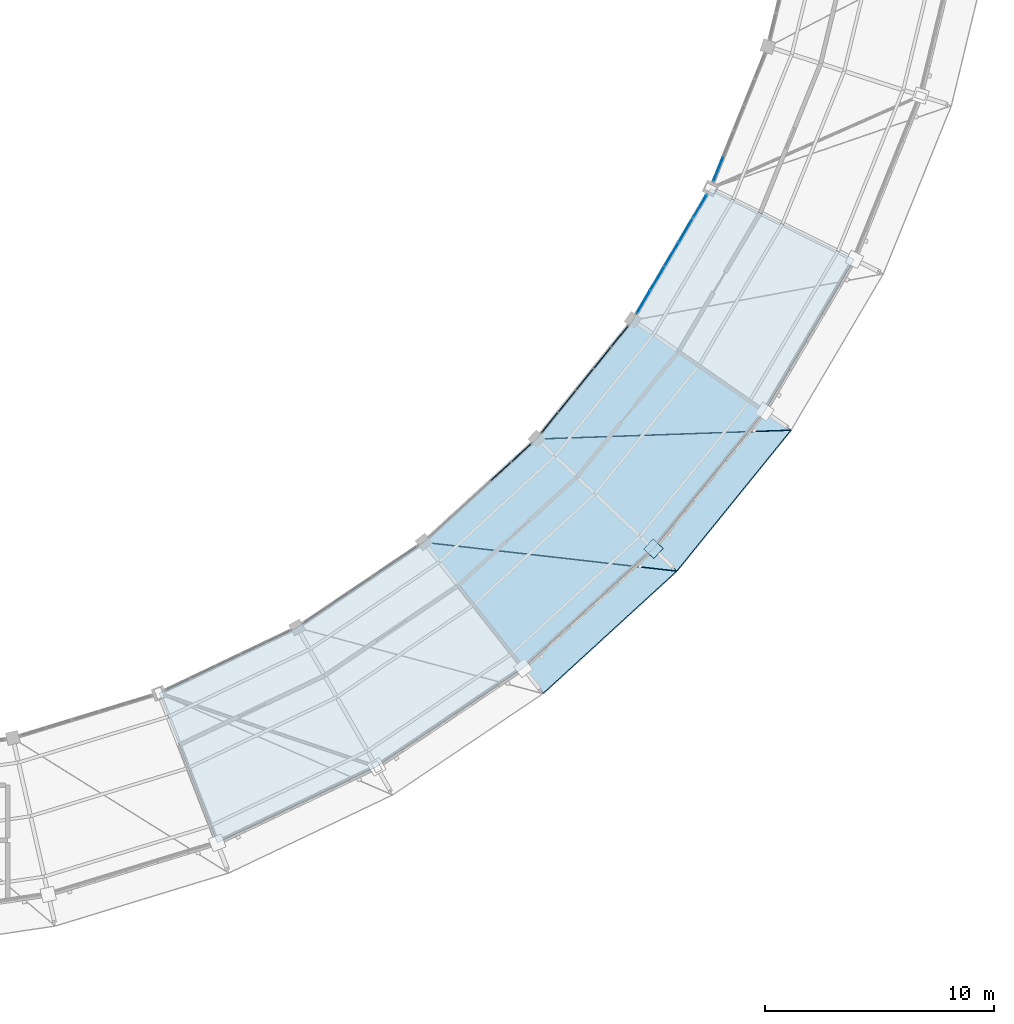
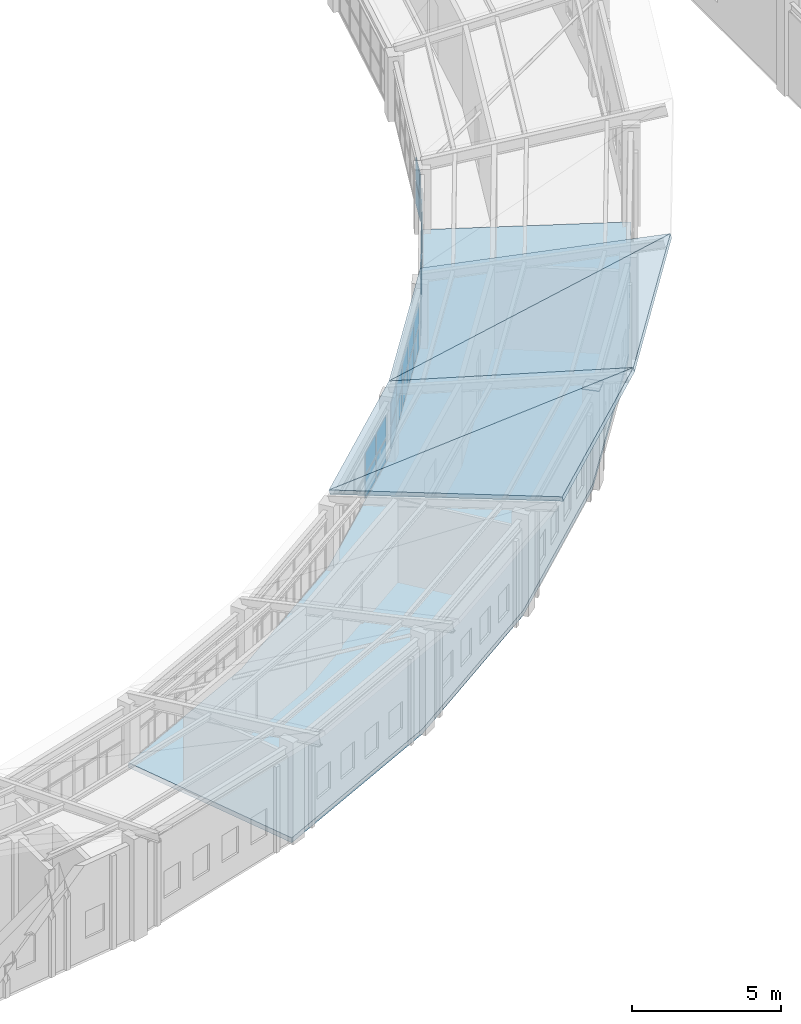
# One storey, part 105 of 149: 27 plates, 5 slabs, 4 elements without a shape of their own.
"""IFC4 building model written with IfcOpenShell, lengths in metres."""

from ifc_helpers import new_model, si_unit, direction, frame, origin, origin_2d, place, context, subcontext, project, spatial, polyline, rectangle, outline, extrude, material, layer, layer_set, type_object, element, aggregate, save


model = new_model("IFC4")

# Units and contexts
model_context = context("Model", 3, precision=1e-05, world=origin(), true_north=direction((0.0, 1.0)))
body_context = subcontext(model_context, "Body", "Model", "MODEL_VIEW")
ifc_project = project(units=[si_unit("LENGTHUNIT", "METRE"), si_unit("AREAUNIT", "SQUARE_METRE"), si_unit("VOLUMEUNIT", "CUBIC_METRE"), si_unit("PLANEANGLEUNIT", "RADIAN"), si_unit("MASSUNIT", "GRAM", prefix="KILO")], contexts=[model_context])

# Site, building, storey
site_placement = place(None, origin())
site = spatial("IfcSite", under=ifc_project, at=site_placement, CompositionType="ELEMENT")
building_placement = place(site_placement, origin())
building = spatial("IfcBuilding", under=site, at=building_placement, Name="Celadon Cloister-Ring School", CompositionType="ELEMENT")
storey_placement = place(building_placement, frame((0.0, 0.0, 12.5)))
storey = spatial("IfcBuildingStorey", under=building, at=storey_placement, Name="L03", CompositionType="ELEMENT", Elevation=12.5)

# Curtain wall, plates
ifc_material_1 = material(Name="Aluminium EN AW-6063 T6", Category="aluminium")
curtain_wall_type = type_object("IfcCurtainWallType", Name="CW-02", PredefinedType="USERDEFINED", material=ifc_material_1)
curtain_wall_1_placement = place(storey_placement, origin())
curtain_wall_1 = element("IfcCurtainWall", 1, at=curtain_wall_1_placement, inside=storey, type_object=curtain_wall_type, Name="Curtain Wall 0066", ObjectType="CURTAIN WALL", PredefinedType="USERDEFINED")
ifc_material_2 = material(Name="Tempered laminated insulating glass", Category="glass")
ifc_layer_1 = layer(ifc_material_2, 0.035888671875)
ifc_layer_set_1 = layer_set([ifc_layer_1], Name="Tempered laminated insulating glass")
plate_type_1 = type_object("IfcPlateType", Name="CPN-03", PredefinedType="CURTAIN_PANEL", material=ifc_layer_set_1)
plate_1_placement = place(storey_placement, frame((118.20751953125, 26.728271484375, 0.074951171875), z_axis=(0.0, 0.0, 1.0), x_axis=(0.737446251531, 0.675405823267, 0.0)))
plate_1 = element("IfcPlate", 2, at=plate_1_placement, type_object=plate_type_1, Name="CW-02 panel 4.1", PredefinedType="CURTAIN_PANEL", context=body_context, shape_type="SweptSolid", body=[
    extrude(rectangle(XDim=1.141845703125, YDim=0.035888671875, at=origin_2d()), origin(), (0.0, 0.0, 1.0), 0.8974609375),
])
plate_2_placement = place(storey_placement, frame((118.20751953125, 26.728271484375, 1.047607421875), z_axis=(0.0, 0.0, 1.0), x_axis=(0.737446251531, 0.675405823267, 0.0)))
plate_2 = element("IfcPlate", 3, at=plate_2_placement, type_object=plate_type_1, Name="CW-02 panel 4.2", PredefinedType="CURTAIN_PANEL", context=body_context, shape_type="SweptSolid", body=[
    extrude(rectangle(XDim=1.141845703125, YDim=0.035888671875, at=origin_2d()), origin(), (0.0, 0.0, 1.0), 0.8974609375),
])
plate_3_placement = place(storey_placement, frame((119.09375, 27.539794921875, 0.074951171875), z_axis=(0.0, 0.0, 1.0), x_axis=(0.737446251531, 0.675405823267, 0.0)))
plate_3 = element("IfcPlate", 4, at=plate_3_placement, type_object=plate_type_1, Name="CW-02 panel 5.1", PredefinedType="CURTAIN_PANEL", context=body_context, shape_type="SweptSolid", body=[
    extrude(rectangle(XDim=1.101806640625, YDim=0.035888671875, at=origin_2d()), origin(), (0.0, 0.0, 1.0), 0.8974609375),
])
plate_4_placement = place(storey_placement, frame((119.09375, 27.539794921875, 1.047607421875), z_axis=(0.0, 0.0, 1.0), x_axis=(0.737446251531, 0.675405823267, 0.0)))
plate_4 = element("IfcPlate", 5, at=plate_4_placement, type_object=plate_type_1, Name="CW-02 panel 5.2", PredefinedType="CURTAIN_PANEL", context=body_context, shape_type="SweptSolid", body=[
    extrude(rectangle(XDim=1.101806640625, YDim=0.035888671875, at=origin_2d()), origin(), (0.0, 0.0, 1.0), 0.8974609375),
])
aggregate(curtain_wall_1, [plate_1, plate_2, plate_3, plate_4])

curtain_wall_2_placement = place(storey_placement, origin())
curtain_wall_2 = element("IfcCurtainWall", 6, at=curtain_wall_2_placement, inside=storey, type_object=curtain_wall_type, Name="Curtain Wall 0067", ObjectType="CURTAIN WALL", PredefinedType="USERDEFINED")
plate_5_placement = place(storey_placement, frame((120.33740234375, 28.861083984375, 0.074951171875), z_axis=(0.0, 0.0, 1.0), x_axis=(0.62977259355, 0.776779557155, 0.0)))
plate_5 = element("IfcPlate", 7, at=plate_5_placement, type_object=plate_type_1, Name="CW-02 panel 1.1", PredefinedType="CURTAIN_PANEL", context=body_context, shape_type="SweptSolid", body=[
    extrude(rectangle(XDim=1.101806640625, YDim=0.035888671875, at=origin_2d()), origin(), (0.0, 0.0, 1.0), 0.8974609375),
])
plate_6_placement = place(storey_placement, frame((120.33740234375, 28.861083984375, 1.047607421875), z_axis=(0.0, 0.0, 1.0), x_axis=(0.62977259355, 0.776779557155, 0.0)))
plate_6 = element("IfcPlate", 8, at=plate_6_placement, type_object=plate_type_1, Name="CW-02 panel 1.2", PredefinedType="CURTAIN_PANEL", context=body_context, shape_type="SweptSolid", body=[
    extrude(rectangle(XDim=1.101806640625, YDim=0.035888671875, at=origin_2d()), origin(), (0.0, 0.0, 1.0), 0.8974609375),
])
plate_7_placement = place(storey_placement, frame((121.093994140625, 29.79443359375, 0.074951171875), z_axis=(0.0, 0.0, 1.0), x_axis=(0.62977259355, 0.776779557155, 0.0)))
plate_7 = element("IfcPlate", 9, at=plate_7_placement, type_object=plate_type_1, Name="CW-02 panel 2.1", PredefinedType="CURTAIN_PANEL", context=body_context, shape_type="SweptSolid", body=[
    extrude(rectangle(XDim=1.1416015625, YDim=0.035888671875, at=origin_2d()), origin(), (0.0, 0.0, 1.0), 0.8974609375),
])
plate_8_placement = place(storey_placement, frame((121.093994140625, 29.79443359375, 1.047607421875), z_axis=(0.0, 0.0, 1.0), x_axis=(0.62977259355, 0.776779557155, 0.0)))
plate_8 = element("IfcPlate", 10, at=plate_8_placement, type_object=plate_type_1, Name="CW-02 panel 2.2", PredefinedType="CURTAIN_PANEL", context=body_context, shape_type="SweptSolid", body=[
    extrude(rectangle(XDim=1.1416015625, YDim=0.035888671875, at=origin_2d()), origin(), (0.0, 0.0, 1.0), 0.8974609375),
])
plate_9_placement = place(storey_placement, frame((121.863525390625, 30.743408203125, 0.074951171875), z_axis=(0.0, 0.0, 1.0), x_axis=(0.62977259355, 0.776779557155, 0.0)))
plate_9 = element("IfcPlate", 11, at=plate_9_placement, type_object=plate_type_1, Name="CW-02 panel 3.1", PredefinedType="CURTAIN_PANEL", context=body_context, shape_type="SweptSolid", body=[
    extrude(rectangle(XDim=1.1416015625, YDim=0.035888671875, at=origin_2d()), origin(), (0.0, 0.0, 1.0), 0.8974609375),
])
plate_10_placement = place(storey_placement, frame((121.863525390625, 30.743408203125, 1.047607421875), z_axis=(0.0, 0.0, 1.0), x_axis=(0.62977259355, 0.776779557155, 0.0)))
plate_10 = element("IfcPlate", 12, at=plate_10_placement, type_object=plate_type_1, Name="CW-02 panel 3.2", PredefinedType="CURTAIN_PANEL", context=body_context, shape_type="SweptSolid", body=[
    extrude(rectangle(XDim=1.1416015625, YDim=0.035888671875, at=origin_2d()), origin(), (0.0, 0.0, 1.0), 0.8974609375),
])
plate_11_placement = place(storey_placement, frame((122.6328125, 31.6923828125, 0.074951171875), z_axis=(0.0, 0.0, 1.0), x_axis=(0.62977259355, 0.776779557155, 0.0)))
plate_11 = element("IfcPlate", 13, at=plate_11_placement, type_object=plate_type_1, Name="CW-02 panel 4.1", PredefinedType="CURTAIN_PANEL", context=body_context, shape_type="SweptSolid", body=[
    extrude(rectangle(XDim=1.1416015625, YDim=0.035888671875, at=origin_2d()), origin(), (0.0, 0.0, 1.0), 0.8974609375),
])
plate_12_placement = place(storey_placement, frame((122.6328125, 31.6923828125, 1.047607421875), z_axis=(0.0, 0.0, 1.0), x_axis=(0.62977259355, 0.776779557155, 0.0)))
plate_12 = element("IfcPlate", 14, at=plate_12_placement, type_object=plate_type_1, Name="CW-02 panel 4.2", PredefinedType="CURTAIN_PANEL", context=body_context, shape_type="SweptSolid", body=[
    extrude(rectangle(XDim=1.1416015625, YDim=0.035888671875, at=origin_2d()), origin(), (0.0, 0.0, 1.0), 0.8974609375),
])
plate_13_placement = place(storey_placement, frame((123.3896484375, 32.6259765625, 0.074951171875), z_axis=(0.0, 0.0, 1.0), x_axis=(0.62977259355, 0.776779557155, 0.0)))
plate_13 = element("IfcPlate", 15, at=plate_13_placement, type_object=plate_type_1, Name="CW-02 panel 5.1", PredefinedType="CURTAIN_PANEL", context=body_context, shape_type="SweptSolid", body=[
    extrude(rectangle(XDim=1.101806640625, YDim=0.035888671875, at=origin_2d()), origin(), (0.0, 0.0, 1.0), 0.8974609375),
])
plate_14_placement = place(storey_placement, frame((123.3896484375, 32.6259765625, 1.047607421875), z_axis=(0.0, 0.0, 1.0), x_axis=(0.62977259355, 0.776779557155, 0.0)))
plate_14 = element("IfcPlate", 16, at=plate_14_placement, type_object=plate_type_1, Name="CW-02 panel 5.2", PredefinedType="CURTAIN_PANEL", context=body_context, shape_type="SweptSolid", body=[
    extrude(rectangle(XDim=1.101806640625, YDim=0.035888671875, at=origin_2d()), origin(), (0.0, 0.0, 1.0), 0.8974609375),
])
aggregate(curtain_wall_2, [plate_5, plate_6, plate_7, plate_8, plate_9, plate_10, plate_11, plate_12, plate_13, plate_14])

curtain_wall_3_placement = place(storey_placement, origin())
curtain_wall_3 = element("IfcCurtainWall", 17, at=curtain_wall_3_placement, inside=storey, type_object=curtain_wall_type, Name="Curtain Wall 0068", ObjectType="CURTAIN WALL", PredefinedType="USERDEFINED")
plate_15_placement = place(storey_placement, frame((124.424560546875, 34.116455078125, 0.074951171875), z_axis=(0.0, 0.0, 1.0), x_axis=(0.507885374036, 0.861424661152, 0.0)))
plate_15 = element("IfcPlate", 18, at=plate_15_placement, type_object=plate_type_1, Name="CW-02 panel 1.1", PredefinedType="CURTAIN_PANEL", context=body_context, shape_type="SweptSolid", body=[
    extrude(rectangle(XDim=1.10205078125, YDim=0.035888671875, at=origin_2d()), origin(), (0.0, 0.0, 1.0), 0.8974609375),
])
plate_16_placement = place(storey_placement, frame((124.424560546875, 34.116455078125, 1.047607421875), z_axis=(0.0, 0.0, 1.0), x_axis=(0.507885374036, 0.861424661152, 0.0)))
plate_16 = element("IfcPlate", 19, at=plate_16_placement, type_object=plate_type_1, Name="CW-02 panel 1.2", PredefinedType="CURTAIN_PANEL", context=body_context, shape_type="SweptSolid", body=[
    extrude(rectangle(XDim=1.10205078125, YDim=0.035888671875, at=origin_2d()), origin(), (0.0, 0.0, 1.0), 0.8974609375),
])
plate_17_placement = place(storey_placement, frame((125.034912109375, 35.15185546875, 0.074951171875), z_axis=(0.0, 0.0, 1.0), x_axis=(0.507885374036, 0.861424661152, 0.0)))
plate_17 = element("IfcPlate", 20, at=plate_17_placement, type_object=plate_type_1, Name="CW-02 panel 2.1", PredefinedType="CURTAIN_PANEL", context=body_context, shape_type="SweptSolid", body=[
    extrude(rectangle(XDim=1.141845703125, YDim=0.035888671875, at=origin_2d()), origin(), (0.0, 0.0, 1.0), 0.8974609375),
])
plate_18_placement = place(storey_placement, frame((125.034912109375, 35.15185546875, 1.047607421875), z_axis=(0.0, 0.0, 1.0), x_axis=(0.507885374036, 0.861424661152, 0.0)))
plate_18 = element("IfcPlate", 21, at=plate_18_placement, type_object=plate_type_1, Name="CW-02 panel 2.2", PredefinedType="CURTAIN_PANEL", context=body_context, shape_type="SweptSolid", body=[
    extrude(rectangle(XDim=1.141845703125, YDim=0.035888671875, at=origin_2d()), origin(), (0.0, 0.0, 1.0), 0.8974609375),
])
plate_19_placement = place(storey_placement, frame((125.655517578125, 36.20458984375, 0.074951171875), z_axis=(0.0, 0.0, 1.0), x_axis=(0.507885374036, 0.861424661152, 0.0)))
plate_19 = element("IfcPlate", 22, at=plate_19_placement, type_object=plate_type_1, Name="CW-02 panel 3.1", PredefinedType="CURTAIN_PANEL", context=body_context, shape_type="SweptSolid", body=[
    extrude(rectangle(XDim=1.141845703125, YDim=0.035888671875, at=origin_2d()), origin(), (0.0, 0.0, 1.0), 0.8974609375),
])
plate_20_placement = place(storey_placement, frame((125.655517578125, 36.20458984375, 1.047607421875), z_axis=(0.0, 0.0, 1.0), x_axis=(0.507885374036, 0.861424661152, 0.0)))
plate_20 = element("IfcPlate", 23, at=plate_20_placement, type_object=plate_type_1, Name="CW-02 panel 3.2", PredefinedType="CURTAIN_PANEL", context=body_context, shape_type="SweptSolid", body=[
    extrude(rectangle(XDim=1.141845703125, YDim=0.035888671875, at=origin_2d()), origin(), (0.0, 0.0, 1.0), 0.8974609375),
])
plate_21_placement = place(storey_placement, frame((126.276123046875, 37.257080078125, 0.074951171875), z_axis=(0.0, 0.0, 1.0), x_axis=(0.507885374036, 0.861424661152, 0.0)))
plate_21 = element("IfcPlate", 24, at=plate_21_placement, type_object=plate_type_1, Name="CW-02 panel 4.1", PredefinedType="CURTAIN_PANEL", context=body_context, shape_type="SweptSolid", body=[
    extrude(rectangle(XDim=1.141845703125, YDim=0.035888671875, at=origin_2d()), origin(), (0.0, 0.0, 1.0), 0.8974609375),
])
plate_22_placement = place(storey_placement, frame((126.276123046875, 37.257080078125, 1.047607421875), z_axis=(0.0, 0.0, 1.0), x_axis=(0.507885374036, 0.861424661152, 0.0)))
plate_22 = element("IfcPlate", 25, at=plate_22_placement, type_object=plate_type_1, Name="CW-02 panel 4.2", PredefinedType="CURTAIN_PANEL", context=body_context, shape_type="SweptSolid", body=[
    extrude(rectangle(XDim=1.141845703125, YDim=0.035888671875, at=origin_2d()), origin(), (0.0, 0.0, 1.0), 0.8974609375),
])
plate_23_placement = place(storey_placement, frame((126.886474609375, 38.29248046875, 0.074951171875), z_axis=(0.0, 0.0, 1.0), x_axis=(0.507885374036, 0.861424661152, 0.0)))
plate_23 = element("IfcPlate", 26, at=plate_23_placement, type_object=plate_type_1, Name="CW-02 panel 5.1", PredefinedType="CURTAIN_PANEL", context=body_context, shape_type="SweptSolid", body=[
    extrude(rectangle(XDim=1.10205078125, YDim=0.035888671875, at=origin_2d()), origin(), (0.0, 0.0, 1.0), 0.8974609375),
])
plate_24_placement = place(storey_placement, frame((126.886474609375, 38.29248046875, 1.047607421875), z_axis=(0.0, 0.0, 1.0), x_axis=(0.507885374036, 0.861424661152, 0.0)))
plate_24 = element("IfcPlate", 27, at=plate_24_placement, type_object=plate_type_1, Name="CW-02 panel 5.2", PredefinedType="CURTAIN_PANEL", context=body_context, shape_type="SweptSolid", body=[
    extrude(rectangle(XDim=1.10205078125, YDim=0.035888671875, at=origin_2d()), origin(), (0.0, 0.0, 1.0), 0.8974609375),
])
aggregate(curtain_wall_3, [plate_15, plate_16, plate_17, plate_18, plate_19, plate_20, plate_21, plate_22, plate_23, plate_24])

curtain_wall_4_placement = place(storey_placement, origin())
curtain_wall_4 = element("IfcCurtainWall", 28, at=curtain_wall_4_placement, inside=storey, type_object=curtain_wall_type, Name="Curtain Wall 0069", ObjectType="CURTAIN WALL", PredefinedType="USERDEFINED")
plate_25_placement = place(storey_placement, frame((127.690673828125, 39.9189453125, 0.074951171875), z_axis=(0.0, 0.0, 1.0), x_axis=(0.37497175447, 0.927036236266, 0.0)))
plate_25 = element("IfcPlate", 29, at=plate_25_placement, type_object=plate_type_1, Name="CW-02 panel 1.1", PredefinedType="CURTAIN_PANEL", context=body_context, shape_type="SweptSolid", body=[
    extrude(rectangle(XDim=1.10205078125, YDim=0.035888671875, at=origin_2d()), origin(), (0.0, 0.0, 1.0), 0.8974609375),
])
plate_26_placement = place(storey_placement, frame((127.690673828125, 39.9189453125, 1.047607421875), z_axis=(0.0, 0.0, 1.0), x_axis=(0.37497175447, 0.927036236266, 0.0)))
plate_26 = element("IfcPlate", 30, at=plate_26_placement, type_object=plate_type_1, Name="CW-02 panel 1.2", PredefinedType="CURTAIN_PANEL", context=body_context, shape_type="SweptSolid", body=[
    extrude(rectangle(XDim=1.10205078125, YDim=0.035888671875, at=origin_2d()), origin(), (0.0, 0.0, 1.0), 0.8974609375),
])
aggregate(curtain_wall_4, [plate_25, plate_26])

# Plate
ifc_material_3 = material(Name="Structural steel S355JR", Category="steel")
ifc_layer_2 = layer(ifc_material_3, 0.02001953125)
ifc_layer_set_2 = layer_set([ifc_layer_2], Name="Structural steel S355JR")
plate_type_2 = type_object("IfcPlateType", Name="PT-01", PredefinedType="SHEET", material=ifc_layer_set_2)
plate_27_placement = place(storey_placement, frame((124.862060546875, 23.35595703125, 4.041015625), z_axis=(0.0, 0.0, 1.0), x_axis=(0.728107824814, -0.685462614185, 0.0)))
element("IfcPlate", 31, at=plate_27_placement, inside=storey, type_object=plate_type_2, Name="Gusset Plate 0026", PredefinedType="SHEET", context=body_context, shape_type="SweptSolid", body=[
    extrude(rectangle(XDim=0.60009765625, YDim=0.60009765625, at=origin_2d()), origin(), (0.0, 0.0, 1.0), 0.02001953125),
])

# Slabs
ifc_material_4 = material(Name="Concrete C35/45", Category="concrete")
ifc_layer_3 = layer(ifc_material_4, 0.199951171875)
ifc_layer_set_3 = layer_set([ifc_layer_3], Name="Concrete C35/45")
slab_type_1 = type_object("IfcSlabType", Name="SL-FL1", PredefinedType="FLOOR", material=ifc_layer_set_3)
slab_1_placement = place(storey_placement, frame((0.0, 0.0, -0.199951171875)))
element("IfcSlab", 32, at=slab_1_placement, inside=storey, type_object=slab_type_1, Name="Ring L03 Sector 0026", PredefinedType="FLOOR", context=body_context, shape_type="SweptSolid", body=[
    extrude(outline(polyline([(103.302001953125, 17.056884765625), (109.320068359375, 19.926025390625), (114.847900390625, 23.652099609375), (119.764892578125, 28.154052734375), (123.9619140625, 33.3330078125), (127.34912109375, 39.075927734375), (133.625, 35.97705078125), (129.7119140625, 29.341064453125), (124.862060546875, 23.35595703125), (119.179931640625, 18.153076171875), (112.7919921875, 13.846923828125), (105.837890625, 10.531982421875), (103.302001953125, 17.056884765625)])), origin(), (0.0, 0.0, 1.0), 0.199951171875),
])
ifc_material_5 = material(Name="Concrete C35/45", Category="concrete")
ifc_layer_4 = layer(ifc_material_5, 0.179931640625)
ifc_layer_set_4 = layer_set([ifc_layer_4], Name="Concrete C35/45")
slab_type_2 = type_object("IfcSlabType", Name="SL-RF1", PredefinedType="ROOF", material=ifc_layer_set_4)
slab_2_placement = place(storey_placement, frame((114.847900390625, 23.652099609375, 3.10009765625), z_axis=(-0.149359360146, 0.163147848217, 0.975230516934), x_axis=(0.603585212284, -0.76616851943, 0.220614349819)))
element("IfcSlab", 33, at=slab_2_placement, inside=storey, type_object=slab_type_2, Name="Conical Upper Roof Inner Tri 0091", PredefinedType="ROOF", context=body_context, shape_type="SweptSolid", body=[
    extrude(outline(polyline([(0.0, 0.0), (8.611871101355812, 9.645062526431047e-16), (8.04101094147993, 7.890572805206354), (0.0, 0.0)])), origin(), (0.0, 0.0, -1.0), 0.179931640625),
])
slab_3_placement = place(storey_placement, frame((114.847900390625, 23.652099609375, 3.10009765625), z_axis=(-0.14936164272, 0.1631314254, 0.975232914606), x_axis=(0.97935083858, -0.111496726511, 0.16864286214)))
element("IfcSlab", 34, at=slab_3_placement, inside=storey, type_object=slab_type_2, Name="Conical Upper Roof Outer Tri 0092", PredefinedType="ROOF", context=body_context, shape_type="SweptSolid", body=[
    extrude(outline(polyline([(0.0, 0.0), (11.265833131875423, 2.7755575615628914e-16), (4.3135073857732955, 5.083114020412342), (0.0, 0.0)])), origin(), (0.0, 0.0, -1.0), 0.179931640625),
])
slab_4_placement = place(storey_placement, frame((119.764892578125, 28.154052734375, 3.10009765625), z_axis=(-0.171834139947, 0.139261147343, 0.975232977903), x_axis=(0.710166005984, -0.668579963721, 0.220601622967)))
element("IfcSlab", 35, at=slab_4_placement, inside=storey, type_object=slab_type_2, Name="Conical Upper Roof Inner Tri 0095", PredefinedType="ROOF", context=body_context, shape_type="SweptSolid", body=[
    extrude(outline(polyline([(0.0, 0.0), (8.61236793364212, -3.5041414214731503e-16), (8.040584449115443, 7.89026391056545), (0.0, 0.0)])), origin(), (0.0, 0.0, -1.0), 0.179931640625),
])
slab_5_placement = place(storey_placement, frame((119.764892578125, 28.154052734375, 3.10009765625), z_axis=(-0.171834069127, 0.139254206494, 0.975233981494), x_axis=(0.985074146308, 0.034436635246, 0.168650657952)))
element("IfcSlab", 36, at=slab_5_placement, inside=storey, type_object=slab_type_2, Name="Conical Upper Roof Outer Tri 0096", PredefinedType="ROOF", context=body_context, shape_type="SweptSolid", body=[
    extrude(outline(polyline([(0.0, 0.0), (11.265312373020496, 0.0), (4.312723142740695, 5.08300935820611), (0.0, 0.0)])), origin(), (0.0, 0.0, -1.0), 0.179931640625),
])

save(model, "model.ifc")
